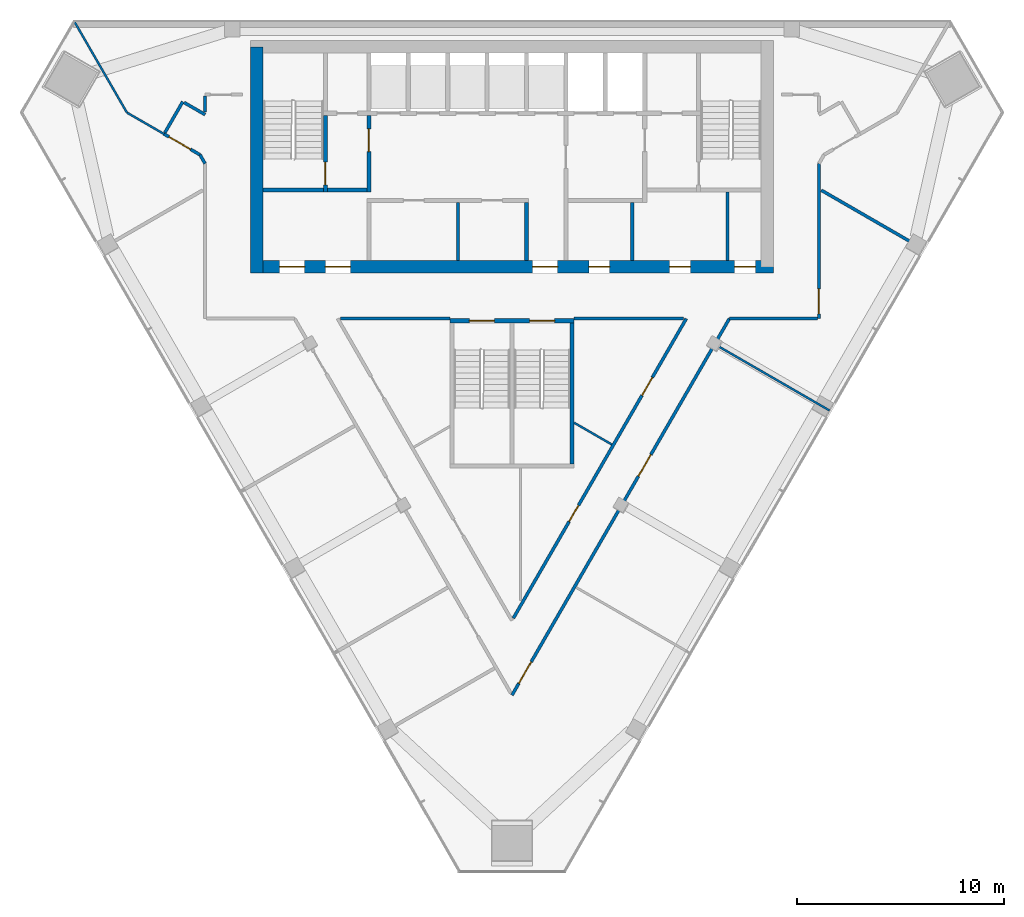
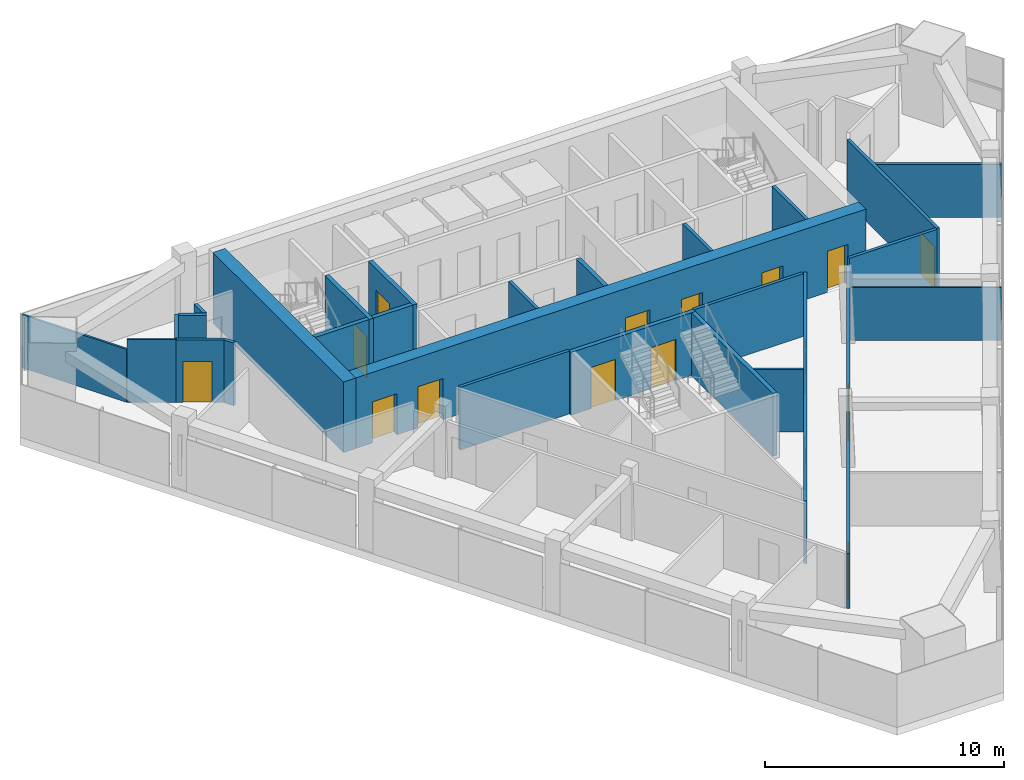
# One storey, part 8 of 12: 28 walls, 16 doors, 16 openings.
"""IFC4 building model written with IfcOpenShell, lengths in metres."""

from ifc_helpers import new_model, si_unit, direction, frame, frame_2d, origin, place, context, subcontext, project, spatial, rectangle, extrude, material, layer, layer_set, type_object, element, fill, save


model = new_model("IFC4")

# Units and contexts
model_context = context("Model", 3, precision=1e-05, world=origin(), true_north=direction((0.0, 1.0)))
body_context = subcontext(model_context, "Body", "Model", "MODEL_VIEW")
ifc_project = project(units=[si_unit("LENGTHUNIT", "METRE"), si_unit("AREAUNIT", "SQUARE_METRE"), si_unit("VOLUMEUNIT", "CUBIC_METRE"), si_unit("PLANEANGLEUNIT", "RADIAN"), si_unit("MASSUNIT", "GRAM", prefix="KILO")], contexts=[model_context])

# Site, building, storey
site_placement = place(None, origin())
site = spatial("IfcSite", under=ifc_project, at=site_placement, CompositionType="ELEMENT")
building_placement = place(site_placement, origin())
building = spatial("IfcBuilding", under=site, at=building_placement, Name="Altiplano Prism Tower", CompositionType="ELEMENT")
storey_placement = place(building_placement, frame((0.0, 0.0, 253.60009765625)))
storey = spatial("IfcBuildingStorey", under=building, at=storey_placement, Name="L65", CompositionType="ELEMENT", Elevation=253.60009765625)

# Wall, openings, doors
ifc_material_1 = material(Name="Concrete C60/75", Category="concrete")
ifc_layer_1 = layer(ifc_material_1, 0.60009765625)
ifc_layer_set_1 = layer_set([ifc_layer_1], Name="Concrete C60/75")
wall_type_1 = type_object("IfcWallType", Name="Core wall 600", PredefinedType="SHEAR", material=ifc_layer_set_1)
wall_1_placement = place(storey_placement, frame((72.699951171875, 93.10009765625, 0.0), z_axis=(0.0, 0.0, 1.0), x_axis=(1.0, 0.0, 0.0)))
wall_1 = element("IfcWall", 1, at=wall_1_placement, inside=storey, type_object=wall_type_1, Name="Core wall S L65", PredefinedType="SHEAR", context=body_context, shape_type="SweptSolid", body=[
    extrude(rectangle(XDim=24.900146484375, YDim=0.60009765625, at=frame_2d((12.4501953125, 0.0))), origin(), (0.0, 0.0, 1.0), 3.599853515625),
])
opening_1_placement = place(wall_1_placement, frame((1.10009765625, 0.0, 0.0)))
opening_1 = element("IfcOpeningElement", 2, at=opening_1_placement, cuts=wall_1, Name="Opening D3492", PredefinedType="OPENING", context=body_context, shape_type="SweptSolid", body=[
    extrude(rectangle(XDim=1.199951171875, YDim=2.10009765625, at=frame_2d((0.60009765625, 1.050048828125))), frame((0.0, 0.310546875, 0.0), z_axis=(0.0, -1.0, 0.0), x_axis=(1.0, 0.0, 0.0)), (0.0, 0.0, 1.0), 0.62109375),
])
opening_2_placement = place(wall_1_placement, frame((3.300048828125, 0.0, 0.0)))
opening_2 = element("IfcOpeningElement", 3, at=opening_2_placement, cuts=wall_1, Name="Opening D3493", PredefinedType="OPENING", context=body_context, shape_type="SweptSolid", body=[
    extrude(rectangle(XDim=1.199951171875, YDim=2.10009765625, at=frame_2d((0.60009765625, 1.050048828125))), frame((0.0, 0.310546875, 0.0), z_axis=(0.0, -1.0, 0.0), x_axis=(1.0, 0.0, 0.0)), (0.0, 0.0, 1.0), 0.62109375),
])
opening_3_placement = place(wall_1_placement, frame((13.300048828125, 0.0, 0.0)))
opening_3 = element("IfcOpeningElement", 4, at=opening_3_placement, cuts=wall_1, Name="Opening D3494", PredefinedType="OPENING", context=body_context, shape_type="SweptSolid", body=[
    extrude(rectangle(XDim=1.199951171875, YDim=2.10009765625, at=frame_2d((0.60009765625, 1.050048828125))), frame((0.0, 0.310546875, 0.0), z_axis=(0.0, -1.0, 0.0), x_axis=(1.0, 0.0, 0.0)), (0.0, 0.0, 1.0), 0.62109375),
])
opening_4_placement = place(wall_1_placement, frame((16.012451171875, 0.0, 0.0)))
opening_4 = element("IfcOpeningElement", 5, at=opening_4_placement, cuts=wall_1, Name="Opening D3497", PredefinedType="OPENING", context=body_context, shape_type="SweptSolid", body=[
    extrude(rectangle(XDim=1.0, YDim=2.10009765625, at=frame_2d((0.5, 1.050048828125))), frame((0.0, 0.310546875, 0.0), z_axis=(0.0, -1.0, 0.0), x_axis=(1.0, 0.0, 0.0)), (0.0, 0.0, 1.0), 0.62109375),
])
opening_5_placement = place(wall_1_placement, frame((19.89990234375, 0.0, 0.0)))
opening_5 = element("IfcOpeningElement", 6, at=opening_5_placement, cuts=wall_1, Name="Opening D3498", PredefinedType="OPENING", context=body_context, shape_type="SweptSolid", body=[
    extrude(rectangle(XDim=1.0, YDim=2.10009765625, at=frame_2d((0.5, 1.050048828125))), frame((0.0, 0.310546875, 0.0), z_axis=(0.0, -1.0, 0.0), x_axis=(1.0, 0.0, 0.0)), (0.0, 0.0, 1.0), 0.62109375),
])
opening_6_placement = place(wall_1_placement, frame((23.03759765625, 0.0, 0.0)))
opening_6 = element("IfcOpeningElement", 7, at=opening_6_placement, cuts=wall_1, Name="Opening D3499", PredefinedType="OPENING", context=body_context, shape_type="SweptSolid", body=[
    extrude(rectangle(XDim=1.0, YDim=2.10009765625, at=frame_2d((0.5, 1.050048828125))), frame((0.0, 0.310546875, 0.0), z_axis=(0.0, -1.0, 0.0), x_axis=(1.0, 0.0, 0.0)), (0.0, 0.0, 1.0), 0.62109375),
])
ifc_material_2 = material(Name="Fire-rated steel door", Category="steel")
door_type_1 = type_object("IfcDoorType", Name="Core room door 1000 x 2100", OperationType="NOTDEFINED", PredefinedType="NOTDEFINED", material=ifc_material_2)
door_1_placement = place(opening_4_placement, origin())
door_1 = element("IfcDoor", 8, at=door_1_placement, inside=storey, type_object=door_type_1, Name="Core room door D3497", OperationType="SINGLE_SWING_RIGHT", OverallHeight=2.10009765625, OverallWidth=1.0, PredefinedType="NOTDEFINED", context=body_context, shape_type="SweptSolid", body=[
    extrude(rectangle(XDim=1.0, YDim=2.10009765625, at=frame_2d((0.5, 1.050048828125))), frame((0.0, 0.02490234375, 0.0), z_axis=(0.0, -1.0, 0.0), x_axis=(1.0, 0.0, 0.0)), (0.0, 0.0, 1.0), 0.050048828125),
])
fill(opening_4, door_1)
door_2_placement = place(opening_5_placement, origin())
door_2 = element("IfcDoor", 9, at=door_2_placement, inside=storey, type_object=door_type_1, Name="Core room door D3498", OperationType="SINGLE_SWING_LEFT", OverallHeight=2.10009765625, OverallWidth=1.0, PredefinedType="NOTDEFINED", context=body_context, shape_type="SweptSolid", body=[
    extrude(rectangle(XDim=1.0, YDim=2.10009765625, at=frame_2d((0.5, 1.050048828125))), frame((0.0, 0.02490234375, 0.0), z_axis=(0.0, -1.0, 0.0), x_axis=(1.0, 0.0, 0.0)), (0.0, 0.0, 1.0), 0.050048828125),
])
fill(opening_5, door_2)
door_3_placement = place(opening_6_placement, origin())
door_3 = element("IfcDoor", 10, at=door_3_placement, inside=storey, type_object=door_type_1, Name="Core room door D3499", OperationType="SINGLE_SWING_RIGHT", OverallHeight=2.10009765625, OverallWidth=1.0, PredefinedType="NOTDEFINED", context=body_context, shape_type="SweptSolid", body=[
    extrude(rectangle(XDim=1.0, YDim=2.10009765625, at=frame_2d((0.5, 1.050048828125))), frame((0.0, 0.02490234375, 0.0), z_axis=(0.0, -1.0, 0.0), x_axis=(1.0, 0.0, 0.0)), (0.0, 0.0, 1.0), 0.050048828125),
])
fill(opening_6, door_3)
door_type_2 = type_object("IfcDoorType", Name="Lobby fire door 1200 x 2100", OperationType="NOTDEFINED", PredefinedType="NOTDEFINED", material=ifc_material_2)
door_4_placement = place(opening_1_placement, origin())
door_4 = element("IfcDoor", 11, at=door_4_placement, inside=storey, type_object=door_type_2, Name="Lobby fire door D3492", OperationType="SINGLE_SWING_RIGHT", OverallHeight=2.10009765625, OverallWidth=1.199951171875, PredefinedType="NOTDEFINED", context=body_context, shape_type="SweptSolid", body=[
    extrude(rectangle(XDim=1.199951171875, YDim=2.10009765625, at=frame_2d((0.60009765625, 1.050048828125))), frame((0.0, 0.02490234375, 0.0), z_axis=(0.0, -1.0, 0.0), x_axis=(1.0, 0.0, 0.0)), (0.0, 0.0, 1.0), 0.050048828125),
])
fill(opening_1, door_4)
door_5_placement = place(opening_2_placement, origin())
door_5 = element("IfcDoor", 12, at=door_5_placement, inside=storey, type_object=door_type_2, Name="Lobby fire door D3493", OperationType="SINGLE_SWING_LEFT", OverallHeight=2.10009765625, OverallWidth=1.199951171875, PredefinedType="NOTDEFINED", context=body_context, shape_type="SweptSolid", body=[
    extrude(rectangle(XDim=1.199951171875, YDim=2.10009765625, at=frame_2d((0.60009765625, 1.050048828125))), frame((0.0, 0.02490234375, 0.0), z_axis=(0.0, -1.0, 0.0), x_axis=(1.0, 0.0, 0.0)), (0.0, 0.0, 1.0), 0.050048828125),
])
fill(opening_2, door_5)
door_6_placement = place(opening_3_placement, origin())
door_6 = element("IfcDoor", 13, at=door_6_placement, inside=storey, type_object=door_type_2, Name="Lobby fire door D3494", OperationType="SINGLE_SWING_RIGHT", OverallHeight=2.10009765625, OverallWidth=1.199951171875, PredefinedType="NOTDEFINED", context=body_context, shape_type="SweptSolid", body=[
    extrude(rectangle(XDim=1.199951171875, YDim=2.10009765625, at=frame_2d((0.60009765625, 1.050048828125))), frame((0.0, 0.02490234375, 0.0), z_axis=(0.0, -1.0, 0.0), x_axis=(1.0, 0.0, 0.0)), (0.0, 0.0, 1.0), 0.050048828125),
])
fill(opening_3, door_6)

# Walls
wall_2_placement = place(storey_placement, frame((72.699951171875, 103.699951171875, 0.0), z_axis=(0.0, 0.0, 1.0), x_axis=(0.0, -1.0, 0.0)))
element("IfcWall", 14, at=wall_2_placement, inside=storey, type_object=wall_type_1, Name="Core wall W L65", PredefinedType="SHEAR", context=body_context, shape_type="SweptSolid", body=[
    extrude(rectangle(XDim=10.89990234375, YDim=0.60009765625, at=frame_2d((5.449951171875, 0.0))), origin(), (0.0, 0.0, 1.0), 3.599853515625),
])
ifc_material_3 = material(Name="Plasterboard on steel stud", Category="steel")
ifc_layer_2 = layer(ifc_material_3, 0.10009765625)
ifc_layer_set_2 = layer_set([ifc_layer_2], Name="Plasterboard on steel stud")
wall_type_2 = type_object("IfcWallType", Name="Partition 100 wet", PredefinedType="PARTITIONING", material=ifc_layer_set_2)
wall_3_placement = place(storey_placement, frame((89.81396484375, 84.529296875, 0.0), z_axis=(0.0, 0.0, 1.0), x_axis=(-0.866010893236, 0.500025132165, 0.0)))
element("IfcWall", 15, at=wall_3_placement, inside=storey, type_object=wall_type_2, Name="Partition P03 L65 024", PredefinedType="PARTITIONING", context=body_context, shape_type="SweptSolid", body=[
    extrude(rectangle(XDim=2.0947265625, YDim=0.10009765625, at=frame_2d((1.04736328125, 0.0))), origin(), (0.0, 0.0, 1.0), 3.199951171875),
])
wall_4_placement = place(storey_placement, frame((68.22314453125, 99.5, 0.0), z_axis=(0.0, 0.0, 1.0), x_axis=(-0.866065849335, 0.499929939707, 0.0)))
element("IfcWall", 16, at=wall_4_placement, inside=storey, type_object=wall_type_2, Name="Partition P03 L65 027", PredefinedType="PARTITIONING", context=body_context, shape_type="SweptSolid", body=[
    extrude(rectangle(XDim=2.071044921875, YDim=0.10009765625, at=frame_2d((1.03564453125, 0.0))), origin(), (0.0, 0.0, 1.0), 3.199951171875),
])
wall_5_placement = place(storey_placement, frame((66.429443359375, 100.535400390625, 0.0), z_axis=(0.0, 0.0, 1.0), x_axis=(-0.499989435719, 0.866031502989, 0.0)))
element("IfcWall", 17, at=wall_5_placement, inside=storey, type_object=wall_type_2, Name="Partition P03 L65 028", PredefinedType="PARTITIONING", context=body_context, shape_type="SweptSolid", body=[
    extrude(rectangle(XDim=5.03955078125, YDim=0.10009765625, at=frame_2d((2.519775390625, 0.0))), origin(), (0.0, 0.0, 1.0), 2.699951171875),
])
wall_6_placement = place(storey_placement, frame((100.31494140625, 86.167724609375, 0.0), z_axis=(0.0, 0.0, 1.0), x_axis=(-0.866015887322, 0.500016482634, 0.0)))
element("IfcWall", 18, at=wall_6_placement, inside=storey, type_object=wall_type_2, Name="Partition P03 L65 033", PredefinedType="PARTITIONING", context=body_context, shape_type="SweptSolid", body=[
    extrude(rectangle(XDim=6.324951171875, YDim=0.10009765625, at=frame_2d((3.16259765625, 0.0))), origin(), (0.0, 0.0, 1.0), 2.699951171875),
])

# Wall, openings, doors
ifc_layer_3 = layer(ifc_material_3, 0.14990234375)
ifc_layer_set_3 = layer_set([ifc_layer_3], Name="Plasterboard on steel stud")
wall_type_3 = type_object("IfcWallType", Name="Partition 150 corridor", PredefinedType="PARTITIONING", material=ifc_layer_set_3)
wall_7_placement = place(storey_placement, frame((93.405517578125, 90.60009765625, 0.0), z_axis=(0.0, 0.0, 1.0), x_axis=(-0.500000327893, -0.866025214475, 0.0)))
wall_7 = element("IfcWall", 19, at=wall_7_placement, inside=storey, type_object=wall_type_3, Name="Partition P06 L65 001", PredefinedType="PARTITIONING", context=body_context, shape_type="SweptSolid", body=[
    extrude(rectangle(XDim=16.68115234375, YDim=0.14990234375, at=frame_2d((8.340576171875, 0.0))), origin(), (0.0, 0.0, 1.0), 3.199951171875),
])
opening_7_placement = place(wall_7_placement, frame((10.39794921875, 0.0, 0.0)))
opening_7 = element("IfcOpeningElement", 20, at=opening_7_placement, cuts=wall_7, Name="Opening D2111", PredefinedType="OPENING", context=body_context, shape_type="SweptSolid", body=[
    extrude(rectangle(XDim=0.89990234375, YDim=2.10009765625, at=frame_2d((0.449951171875, 1.050048828125))), frame((0.0, 0.08544921875, 0.0), z_axis=(0.0, -1.0, 0.0), x_axis=(1.0, 0.0, 0.0)), (0.0, 0.0, 1.0), 0.1708984375),
])
opening_8_placement = place(wall_7_placement, frame((3.27490234375, 0.0, 0.0)))
opening_8 = element("IfcOpeningElement", 21, at=opening_8_placement, cuts=wall_7, Name="Opening D2124", PredefinedType="OPENING", context=body_context, shape_type="SweptSolid", body=[
    extrude(rectangle(XDim=1.0, YDim=2.10009765625, at=frame_2d((0.5, 1.050048828125))), frame((0.0, 0.08544921875, 0.0), z_axis=(0.0, -1.0, 0.0), x_axis=(1.0, 0.0, 0.0)), (0.0, 0.0, 1.0), 0.1708984375),
])
ifc_material_4 = material(Name="Timber", Category="wood")
door_type_3 = type_object("IfcDoorType", Name="Room door 1000 x 2100", OperationType="NOTDEFINED", PredefinedType="NOTDEFINED", material=ifc_material_4)
door_7_placement = place(opening_8_placement, origin())
door_7 = element("IfcDoor", 22, at=door_7_placement, inside=storey, type_object=door_type_3, Name="Door D2124", OperationType="SINGLE_SWING_LEFT", OverallHeight=2.10009765625, OverallWidth=1.0, PredefinedType="NOTDEFINED", context=body_context, shape_type="SweptSolid", body=[
    extrude(rectangle(XDim=1.0, YDim=2.10009765625, at=frame_2d((0.5, 1.050048828125))), frame((0.0, 0.02490234375, 0.0), z_axis=(0.0, -1.0, 0.0), x_axis=(1.0, 0.0, 0.0)), (0.0, 0.0, 1.0), 0.050048828125),
])
fill(opening_8, door_7)
door_type_4 = type_object("IfcDoorType", Name="Toilet door 900 x 2100", OperationType="NOTDEFINED", PredefinedType="NOTDEFINED", material=ifc_material_4)
door_8_placement = place(opening_7_placement, origin())
door_8 = element("IfcDoor", 23, at=door_8_placement, inside=storey, type_object=door_type_4, Name="Door D2111", OperationType="SINGLE_SWING_LEFT", OverallHeight=2.10009765625, OverallWidth=0.89990234375, PredefinedType="NOTDEFINED", context=body_context, shape_type="SweptSolid", body=[
    extrude(rectangle(XDim=0.89990234375, YDim=2.10009765625, at=frame_2d((0.449951171875, 1.050048828125))), frame((0.0, 0.02490234375, 0.0), z_axis=(0.0, -1.0, 0.0), x_axis=(1.0, 0.0, 0.0)), (0.0, 0.0, 1.0), 0.050048828125),
])
fill(opening_7, door_8)

# Wall, opening, door
wall_8_placement = place(storey_placement, frame((68.205810546875, 99.510009765625, 0.0), z_axis=(0.0, 0.0, 1.0), x_axis=(0.866010470582, -0.500025864173, 0.0)))
wall_8 = element("IfcWall", 24, at=wall_8_placement, inside=storey, type_object=wall_type_3, Name="Partition P06 L65 003", PredefinedType="PARTITIONING", context=body_context, shape_type="SweptSolid", body=[
    extrude(rectangle(XDim=2.02001953125, YDim=0.14990234375, at=frame_2d((1.010009765625, 0.0))), origin(), (0.0, 0.0, 1.0), 3.199951171875),
])
opening_9_placement = place(wall_8_placement, frame((0.2958984375, 0.0, 0.0)))
opening_9 = element("IfcOpeningElement", 25, at=opening_9_placement, cuts=wall_8, Name="Opening D2113", PredefinedType="OPENING", context=body_context, shape_type="SweptSolid", body=[
    extrude(rectangle(XDim=1.199951171875, YDim=2.10009765625, at=frame_2d((0.60009765625, 1.050048828125))), frame((0.0, 0.08544921875, 0.0), z_axis=(0.0, -1.0, 0.0), x_axis=(1.0, 0.0, 0.0)), (0.0, 0.0, 1.0), 0.1708984375),
])
door_type_5 = type_object("IfcDoorType", Name="Shared room door 1200 x 2100", OperationType="NOTDEFINED", PredefinedType="NOTDEFINED", material=ifc_material_4)
door_9_placement = place(opening_9_placement, origin())
door_9 = element("IfcDoor", 26, at=door_9_placement, inside=storey, type_object=door_type_5, Name="Door D2113", OperationType="SINGLE_SWING_LEFT", OverallHeight=2.10009765625, OverallWidth=1.199951171875, PredefinedType="NOTDEFINED", context=body_context, shape_type="SweptSolid", body=[
    extrude(rectangle(XDim=1.199951171875, YDim=2.10009765625, at=frame_2d((0.60009765625, 1.050048828125))), frame((0.0, 0.02490234375, 0.0), z_axis=(0.0, -1.0, 0.0), x_axis=(1.0, 0.0, 0.0)), (0.0, 0.0, 1.0), 0.050048828125),
])
fill(opening_9, door_9)

# Wall
wall_9_placement = place(storey_placement, frame((69.955078125, 98.5, 0.0), z_axis=(0.0, 0.0, 1.0), x_axis=(0.499837493736, -0.866119206493, 0.0)))
element("IfcWall", 27, at=wall_9_placement, inside=storey, type_object=wall_type_3, Name="Partition P06 L65 004", PredefinedType="PARTITIONING", context=body_context, shape_type="SweptSolid", body=[
    extrude(rectangle(XDim=0.489990234375, YDim=0.14990234375, at=frame_2d((0.2451171875, 0.0))), origin(), (0.0, 0.0, 1.0), 3.199951171875),
])

# Wall, openings, doors
wall_10_placement = place(storey_placement, frame((85.0, 72.44140625, 0.0), z_axis=(0.0, 0.0, 1.0), x_axis=(0.499998617425, 0.866026202013, 0.0)))
wall_10 = element("IfcWall", 28, at=wall_10_placement, inside=storey, type_object=wall_type_3, Name="Partition P06 L65 008", PredefinedType="PARTITIONING", context=body_context, shape_type="SweptSolid", body=[
    extrude(rectangle(XDim=20.9677734375, YDim=0.14990234375, at=frame_2d((10.48388671875, 0.0))), origin(), (0.0, 0.0, 1.0), 2.7998046875),
])
opening_10_placement = place(wall_10_placement, frame((0.657958984375, 0.0, 0.0)))
opening_10 = element("IfcOpeningElement", 29, at=opening_10_placement, cuts=wall_10, Name="Opening D2117", PredefinedType="OPENING", context=body_context, shape_type="SweptSolid", body=[
    extrude(rectangle(XDim=1.199951171875, YDim=2.10009765625, at=frame_2d((0.60009765625, 1.050048828125))), frame((0.0, 0.08544921875, 0.0), z_axis=(0.0, -1.0, 0.0), x_axis=(1.0, 0.0, 0.0)), (0.0, 0.0, 1.0), 0.1708984375),
])
opening_11_placement = place(wall_10_placement, frame((12.195068359375, 0.0, 0.0)))
opening_11 = element("IfcOpeningElement", 30, at=opening_11_placement, cuts=wall_10, Name="Opening D2118", PredefinedType="OPENING", context=body_context, shape_type="SweptSolid", body=[
    extrude(rectangle(XDim=1.199951171875, YDim=2.10009765625, at=frame_2d((0.60009765625, 1.050048828125))), frame((0.0, 0.08544921875, 0.0), z_axis=(0.0, -1.0, 0.0), x_axis=(1.0, 0.0, 0.0)), (0.0, 0.0, 1.0), 0.1708984375),
])
door_10_placement = place(opening_10_placement, origin())
door_10 = element("IfcDoor", 31, at=door_10_placement, inside=storey, type_object=door_type_5, Name="Door D2117", OperationType="SINGLE_SWING_LEFT", OverallHeight=2.10009765625, OverallWidth=1.199951171875, PredefinedType="NOTDEFINED", context=body_context, shape_type="SweptSolid", body=[
    extrude(rectangle(XDim=1.199951171875, YDim=2.10009765625, at=frame_2d((0.60009765625, 1.050048828125))), frame((0.0, 0.02490234375, 0.0), z_axis=(0.0, -1.0, 0.0), x_axis=(1.0, 0.0, 0.0)), (0.0, 0.0, 1.0), 0.050048828125),
])
fill(opening_10, door_10)
door_11_placement = place(opening_11_placement, origin())
door_11 = element("IfcDoor", 32, at=door_11_placement, inside=storey, type_object=door_type_5, Name="Door D2118", OperationType="SINGLE_SWING_RIGHT", OverallHeight=2.10009765625, OverallWidth=1.199951171875, PredefinedType="NOTDEFINED", context=body_context, shape_type="SweptSolid", body=[
    extrude(rectangle(XDim=1.199951171875, YDim=2.10009765625, at=frame_2d((0.60009765625, 1.050048828125))), frame((0.0, 0.02490234375, 0.0), z_axis=(0.0, -1.0, 0.0), x_axis=(1.0, 0.0, 0.0)), (0.0, 0.0, 1.0), 0.050048828125),
])
fill(opening_11, door_11)

# Wall
wall_11_placement = place(storey_placement, frame((95.48388671875, 90.60009765625, 0.0), z_axis=(0.0, 0.0, 1.0), x_axis=(1.0, 0.0, 0.0)))
element("IfcWall", 33, at=wall_11_placement, inside=storey, type_object=wall_type_3, Name="Partition P06 L65 009", PredefinedType="PARTITIONING", context=body_context, shape_type="SweptSolid", body=[
    extrude(rectangle(XDim=4.2412109375, YDim=0.14990234375, at=frame_2d((2.12060546875, 0.0))), origin(), (0.0, 0.0, 1.0), 3.199951171875),
])

# Wall, opening, door
wall_12_placement = place(storey_placement, frame((99.800048828125, 90.60009765625, 0.0), z_axis=(0.0, 0.0, 1.0), x_axis=(0.0, 1.0, 0.0)))
wall_12 = element("IfcWall", 34, at=wall_12_placement, inside=storey, type_object=wall_type_3, Name="Partition P06 L65 010", PredefinedType="PARTITIONING", context=body_context, shape_type="SweptSolid", body=[
    extrude(rectangle(XDim=7.4755859375, YDim=0.14990234375, at=frame_2d((3.73779296875, 0.0))), origin(), (0.0, 0.0, 1.0), 3.199951171875),
])
opening_12_placement = place(wall_12_placement, frame((0.23388671875, 0.0, 0.0)))
opening_12 = element("IfcOpeningElement", 35, at=opening_12_placement, cuts=wall_12, Name="Opening D2119", PredefinedType="OPENING", context=body_context, shape_type="SweptSolid", body=[
    extrude(rectangle(XDim=1.199951171875, YDim=2.10009765625, at=frame_2d((0.60009765625, 1.050048828125))), frame((0.0, 0.08544921875, 0.0), z_axis=(0.0, -1.0, 0.0), x_axis=(1.0, 0.0, 0.0)), (0.0, 0.0, 1.0), 0.1708984375),
])
door_12_placement = place(opening_12_placement, origin())
door_12 = element("IfcDoor", 36, at=door_12_placement, inside=storey, type_object=door_type_5, Name="Door D2119", OperationType="SINGLE_SWING_RIGHT", OverallHeight=2.10009765625, OverallWidth=1.199951171875, PredefinedType="NOTDEFINED", context=body_context, shape_type="SweptSolid", body=[
    extrude(rectangle(XDim=1.199951171875, YDim=2.10009765625, at=frame_2d((0.60009765625, 1.050048828125))), frame((0.0, 0.02490234375, 0.0), z_axis=(0.0, -1.0, 0.0), x_axis=(1.0, 0.0, 0.0)), (0.0, 0.0, 1.0), 0.050048828125),
])
fill(opening_12, door_12)

# Walls
wall_13_placement = place(storey_placement, frame((70.199951171875, 101.324951171875, 0.0), z_axis=(0.0, 0.0, 1.0), x_axis=(0.0, -1.0, 0.0)))
element("IfcWall", 37, at=wall_13_placement, inside=storey, type_object=wall_type_3, Name="Partition P06 L65 014", PredefinedType="PARTITIONING", context=body_context, shape_type="SweptSolid", body=[
    extrude(rectangle(XDim=0.758056640625, YDim=0.14990234375, at=frame_2d((0.37890625, 0.0))), origin(), (0.0, 0.0, 1.0), 3.199951171875),
])
wall_14_placement = place(storey_placement, frame((70.199951171875, 100.43701171875, 0.0), z_axis=(0.0, 0.0, 1.0), x_axis=(-0.86603597662, 0.499981686864, 0.0)))
element("IfcWall", 38, at=wall_14_placement, inside=storey, type_object=wall_type_3, Name="Partition P06 L65 015", PredefinedType="PARTITIONING", context=body_context, shape_type="SweptSolid", body=[
    extrude(rectangle(XDim=1.16845703125, YDim=0.14990234375, at=frame_2d((0.584228515625, 0.0))), origin(), (0.0, 0.0, 1.0), 3.199951171875),
])
wall_15_placement = place(storey_placement, frame((69.123046875, 101.058837890625, 0.0), z_axis=(0.0, 0.0, 1.0), x_axis=(-0.500020560727, -0.866013532718, 0.0)))
element("IfcWall", 39, at=wall_15_placement, inside=storey, type_object=wall_type_3, Name="Partition P06 L65 016", PredefinedType="PARTITIONING", context=body_context, shape_type="SweptSolid", body=[
    extrude(rectangle(XDim=1.72509765625, YDim=0.14990234375, at=frame_2d((0.862548828125, 0.0))), origin(), (0.0, 0.0, 1.0), 3.199951171875),
])
for number, where, z_axis, x_axis, name in (
    (40, (76.724609375, 90.60009765625, 0.0), (0.0, 0.0, 1.0), (0.999999982866, -0.00018511662, 0.0), "Partition P06 L65 021"),
    (41, (88.0, 90.59912109375, 0.0), (0.0, 0.0, 1.0), (0.999999982866, 0.00018511662, 0.0), "Partition P06 L65 022"),
):
    element("IfcWall", number, at=place(storey_placement, frame(where, z_axis=z_axis, x_axis=x_axis)), inside=storey, type_object=wall_type_3, Name=name, PredefinedType="PARTITIONING", context=body_context, shape_type="SweptSolid", body=[
        extrude(rectangle(XDim=5.275390625, YDim=0.14990234375, at=frame_2d((2.6376953125, 0.0))), origin(), (0.0, 0.0, 1.0), 3.199951171875),
    ])
ifc_layer_4 = layer(ifc_material_3, 0.14990234375)
ifc_layer_set_4 = layer_set([ifc_layer_4], Name="Plasterboard on steel stud")
wall_type_4 = type_object("IfcWallType", Name="Partition 150 party", PredefinedType="PARTITIONING", material=ifc_layer_set_4)
wall_16_placement = place(storey_placement, frame((104.81494140625, 93.962158203125, 0.0), z_axis=(0.0, 0.0, 1.0), x_axis=(-0.866029015679, 0.499993743963, 0.0)))
element("IfcWall", 42, at=wall_16_placement, inside=storey, type_object=wall_type_4, Name="Partition P01 L65 034", PredefinedType="PARTITIONING", context=body_context, shape_type="SweptSolid", body=[
    extrude(rectangle(XDim=5.66064453125, YDim=0.14990234375, at=frame_2d((2.830322265625, 0.0))), origin(), (0.0, 0.0, 1.0), 2.699951171875),
])
ifc_material_5 = material(Name="Fire-rated gypsum board partition")
ifc_layer_5 = layer(ifc_material_5, 0.14990234375)
ifc_layer_set_5 = layer_set([ifc_layer_5], Name="Fire-rated gypsum board partition")
wall_type_5 = type_object("IfcWallType", Name="Room partition 150", PredefinedType="PARTITIONING", material=ifc_layer_set_5)
for number, where, z_axis, x_axis, name in (
    (43, (82.39990234375, 93.39990234375, 0.0), (0.0, 0.0, 1.0), (0.0, 1.0, 0.0), "Room partition L65"),
    (44, (90.800048828125, 93.39990234375, 0.0), (0.0, 0.0, 1.0), (0.0, 1.0, 0.0), "Room partition L65"),
):
    element("IfcWall", number, at=place(storey_placement, frame(where, z_axis=z_axis, x_axis=x_axis)), inside=storey, type_object=wall_type_5, Name=name, PredefinedType="PARTITIONING", context=body_context, shape_type="SweptSolid", body=[
        extrude(rectangle(XDim=2.800048828125, YDim=0.14990234375, at=frame_2d((1.39990234375, 0.0))), origin(), (0.0, 0.0, 1.0), 3.199951171875),
    ])
wall_17_placement = place(storey_placement, frame((95.39990234375, 93.39990234375, 0.0), z_axis=(0.0, 0.0, 1.0), x_axis=(0.0, 1.0, 0.0)))
element("IfcWall", 45, at=wall_17_placement, inside=storey, type_object=wall_type_5, Name="Room partition L65", PredefinedType="PARTITIONING", context=body_context, shape_type="SweptSolid", body=[
    extrude(rectangle(XDim=3.300048828125, YDim=0.14990234375, at=frame_2d((1.64990234375, 0.0))), origin(), (0.0, 0.0, 1.0), 3.199951171875),
])
ifc_layer_6 = layer(ifc_material_1, 0.199951171875)
ifc_layer_set_6 = layer_set([ifc_layer_6], Name="Concrete C60/75")
wall_type_6 = type_object("IfcWallType", Name="Stair wall 200", PredefinedType="SOLIDWALL", material=ifc_layer_set_6)
wall_18_placement = place(storey_placement, frame((73.0, 96.800048828125, 0.0), z_axis=(0.0, 0.0, 1.0), x_axis=(1.0, 0.0, 0.0)))
element("IfcWall", 46, at=wall_18_placement, inside=storey, type_object=wall_type_6, Name="Stair wall L65", PredefinedType="SOLIDWALL", context=body_context, shape_type="SweptSolid", body=[
    extrude(rectangle(XDim=2.89990234375, YDim=0.199951171875, at=frame_2d((1.449951171875, 0.0))), origin(), (0.0, 0.0, 1.0), 3.199951171875),
])

# Wall, opening, door
wall_19_placement = place(storey_placement, frame((76.0, 96.699951171875, 0.0), z_axis=(0.0, 0.0, 1.0), x_axis=(0.0, 1.0, 0.0)))
wall_19 = element("IfcWall", 47, at=wall_19_placement, inside=storey, type_object=wall_type_6, Name="Stair wall L65", PredefinedType="SOLIDWALL", context=body_context, shape_type="SweptSolid", body=[
    extrude(rectangle(XDim=3.699951171875, YDim=0.199951171875, at=frame_2d((1.85009765625, 0.0))), origin(), (0.0, 0.0, 1.0), 3.199951171875),
])
opening_13_placement = place(wall_19_placement, frame((0.35009765625, 0.0, 0.0)))
opening_13 = element("IfcOpeningElement", 48, at=opening_13_placement, cuts=wall_19, Name="Opening D3487", PredefinedType="OPENING", context=body_context, shape_type="SweptSolid", body=[
    extrude(rectangle(XDim=1.10009765625, YDim=2.10009765625, at=frame_2d((0.550048828125, 1.050048828125))), frame((0.0, 0.1103515625, 0.0), z_axis=(0.0, -1.0, 0.0), x_axis=(1.0, 0.0, 0.0)), (0.0, 0.0, 1.0), 0.220947265625),
])
door_type_6 = type_object("IfcDoorType", Name="Stair fire door 1100 x 2100", OperationType="NOTDEFINED", PredefinedType="NOTDEFINED", material=ifc_material_2)
door_13_placement = place(opening_13_placement, origin())
door_13 = element("IfcDoor", 49, at=door_13_placement, inside=storey, type_object=door_type_6, Name="Stair fire door D3487", OperationType="SINGLE_SWING_RIGHT", OverallHeight=2.10009765625, OverallWidth=1.10009765625, PredefinedType="NOTDEFINED", context=body_context, shape_type="SweptSolid", body=[
    extrude(rectangle(XDim=1.10009765625, YDim=2.10009765625, at=frame_2d((0.550048828125, 1.050048828125))), frame((0.0, 0.02490234375, 0.0), z_axis=(0.0, -1.0, 0.0), x_axis=(1.0, 0.0, 0.0)), (0.0, 0.0, 1.0), 0.050048828125),
])
fill(opening_13, door_13)

# Wall, openings, doors
wall_20_placement = place(storey_placement, frame((82.0, 90.5, 0.0), z_axis=(0.0, 0.0, 1.0), x_axis=(1.0, 0.0, 0.0)))
wall_20 = element("IfcWall", 50, at=wall_20_placement, inside=storey, type_object=wall_type_6, Name="Stair 3 wall north L65", PredefinedType="SOLIDWALL", context=body_context, shape_type="SweptSolid", body=[
    extrude(rectangle(XDim=6.0, YDim=0.199951171875, at=frame_2d((3.0, 0.0))), origin(), (0.0, 0.0, 1.0), 3.199951171875),
])
opening_14_placement = place(wall_20_placement, frame((0.949951171875, 0.0, 0.0)))
opening_14 = element("IfcOpeningElement", 51, at=opening_14_placement, cuts=wall_20, Name="Opening D4052", PredefinedType="OPENING", context=body_context, shape_type="SweptSolid", body=[
    extrude(rectangle(XDim=1.199951171875, YDim=2.10009765625, at=frame_2d((0.60009765625, 1.050048828125))), frame((0.0, 0.1103515625, 0.0), z_axis=(0.0, -1.0, 0.0), x_axis=(1.0, 0.0, 0.0)), (0.0, 0.0, 1.0), 0.220947265625),
])
opening_15_placement = place(wall_20_placement, frame((3.85009765625, 0.0, 0.0)))
opening_15 = element("IfcOpeningElement", 52, at=opening_15_placement, cuts=wall_20, Name="Opening D4053", PredefinedType="OPENING", context=body_context, shape_type="SweptSolid", body=[
    extrude(rectangle(XDim=1.199951171875, YDim=2.10009765625, at=frame_2d((0.60009765625, 1.050048828125))), frame((0.0, 0.1103515625, 0.0), z_axis=(0.0, -1.0, 0.0), x_axis=(1.0, 0.0, 0.0)), (0.0, 0.0, 1.0), 0.220947265625),
])
door_type_7 = type_object("IfcDoorType", Name="Stair fire door 1200 x 2100", OperationType="NOTDEFINED", PredefinedType="NOTDEFINED", material=ifc_material_2)
door_14_placement = place(opening_14_placement, origin())
door_14 = element("IfcDoor", 53, at=door_14_placement, inside=storey, type_object=door_type_7, Name="Stair fire door D4052", OperationType="SINGLE_SWING_LEFT", OverallHeight=2.10009765625, OverallWidth=1.199951171875, PredefinedType="NOTDEFINED", context=body_context, shape_type="SweptSolid", body=[
    extrude(rectangle(XDim=1.199951171875, YDim=2.10009765625, at=frame_2d((0.60009765625, 1.050048828125))), frame((0.0, 0.02490234375, 0.0), z_axis=(0.0, -1.0, 0.0), x_axis=(1.0, 0.0, 0.0)), (0.0, 0.0, 1.0), 0.050048828125),
])
fill(opening_14, door_14)
door_15_placement = place(opening_15_placement, origin())
door_15 = element("IfcDoor", 54, at=door_15_placement, inside=storey, type_object=door_type_7, Name="Stair fire door D4053", OperationType="SINGLE_SWING_LEFT", OverallHeight=2.10009765625, OverallWidth=1.199951171875, PredefinedType="NOTDEFINED", context=body_context, shape_type="SweptSolid", body=[
    extrude(rectangle(XDim=1.199951171875, YDim=2.10009765625, at=frame_2d((0.60009765625, 1.050048828125))), frame((0.0, 0.02490234375, 0.0), z_axis=(0.0, -1.0, 0.0), x_axis=(1.0, 0.0, 0.0)), (0.0, 0.0, 1.0), 0.050048828125),
])
fill(opening_15, door_15)

# Walls
wall_21_placement = place(storey_placement, frame((87.89990234375, 83.60009765625, 0.0), z_axis=(0.0, 0.0, 1.0), x_axis=(0.0, 1.0, 0.0)))
element("IfcWall", 55, at=wall_21_placement, inside=storey, type_object=wall_type_6, Name="Stair 3 wall east L65", PredefinedType="SOLIDWALL", context=body_context, shape_type="SweptSolid", body=[
    extrude(rectangle(XDim=6.7998046875, YDim=0.199951171875, at=frame_2d((3.39990234375, 0.0))), origin(), (0.0, 0.0, 1.0), 3.199951171875),
])
ifc_layer_7 = layer(ifc_material_1, 0.199951171875)
ifc_layer_set_7 = layer_set([ifc_layer_7], Name="Concrete C60/75")
wall_type_7 = type_object("IfcWallType", Name="Vestibule wall 200", PredefinedType="PARTITIONING", material=ifc_layer_set_7)
wall_22_placement = place(storey_placement, frame((85.699951171875, 93.39990234375, 0.0), z_axis=(0.0, 0.0, 1.0), x_axis=(0.0, 1.0, 0.0)))
element("IfcWall", 56, at=wall_22_placement, inside=storey, type_object=wall_type_7, Name="Vestibule wall L65", PredefinedType="PARTITIONING", context=body_context, shape_type="SweptSolid", body=[
    extrude(rectangle(XDim=2.800048828125, YDim=0.199951171875, at=frame_2d((1.39990234375, 0.0))), origin(), (0.0, 0.0, 1.0), 3.199951171875),
])
wall_23_placement = place(storey_placement, frame((76.10009765625, 96.800048828125, 0.0), z_axis=(0.0, 0.0, 1.0), x_axis=(1.0, 0.0, 0.0)))
element("IfcWall", 57, at=wall_23_placement, inside=storey, type_object=wall_type_7, Name="Vestibule wall L65", PredefinedType="PARTITIONING", context=body_context, shape_type="SweptSolid", body=[
    extrude(rectangle(XDim=1.89990234375, YDim=0.199951171875, at=frame_2d((0.949951171875, 0.0))), origin(), (0.0, 0.0, 1.0), 3.199951171875),
])

# Wall, opening, door
wall_24_placement = place(storey_placement, frame((78.10009765625, 96.699951171875, 0.0), z_axis=(0.0, 0.0, 1.0), x_axis=(0.0, 1.0, 0.0)))
wall_24 = element("IfcWall", 58, at=wall_24_placement, inside=storey, type_object=wall_type_7, Name="Vestibule wall L65", PredefinedType="PARTITIONING", context=body_context, shape_type="SweptSolid", body=[
    extrude(rectangle(XDim=3.699951171875, YDim=0.199951171875, at=frame_2d((1.85009765625, 0.0))), origin(), (0.0, 0.0, 1.0), 3.199951171875),
])
opening_16_placement = place(wall_24_placement, frame((1.949951171875, 0.0, 0.0)))
opening_16 = element("IfcOpeningElement", 59, at=opening_16_placement, cuts=wall_24, Name="Opening D3489", PredefinedType="OPENING", context=body_context, shape_type="SweptSolid", body=[
    extrude(rectangle(XDim=1.10009765625, YDim=2.10009765625, at=frame_2d((0.550048828125, 1.050048828125))), frame((0.0, 0.1103515625, 0.0), z_axis=(0.0, -1.0, 0.0), x_axis=(1.0, 0.0, 0.0)), (0.0, 0.0, 1.0), 0.220947265625),
])
door_type_8 = type_object("IfcDoorType", Name="Vestibule fire door 1100 x 2100", OperationType="NOTDEFINED", PredefinedType="NOTDEFINED", material=ifc_material_2)
door_16_placement = place(opening_16_placement, origin())
door_16 = element("IfcDoor", 60, at=door_16_placement, inside=storey, type_object=door_type_8, Name="Vestibule fire door D3489", OperationType="SINGLE_SWING_LEFT", OverallHeight=2.10009765625, OverallWidth=1.10009765625, PredefinedType="NOTDEFINED", context=body_context, shape_type="SweptSolid", body=[
    extrude(rectangle(XDim=1.10009765625, YDim=2.10009765625, at=frame_2d((0.550048828125, 1.050048828125))), frame((0.0, 0.02490234375, 0.0), z_axis=(0.0, -1.0, 0.0), x_axis=(1.0, 0.0, 0.0)), (0.0, 0.0, 1.0), 0.050048828125),
])
fill(opening_16, door_16)

save(model, "model.ifc")
